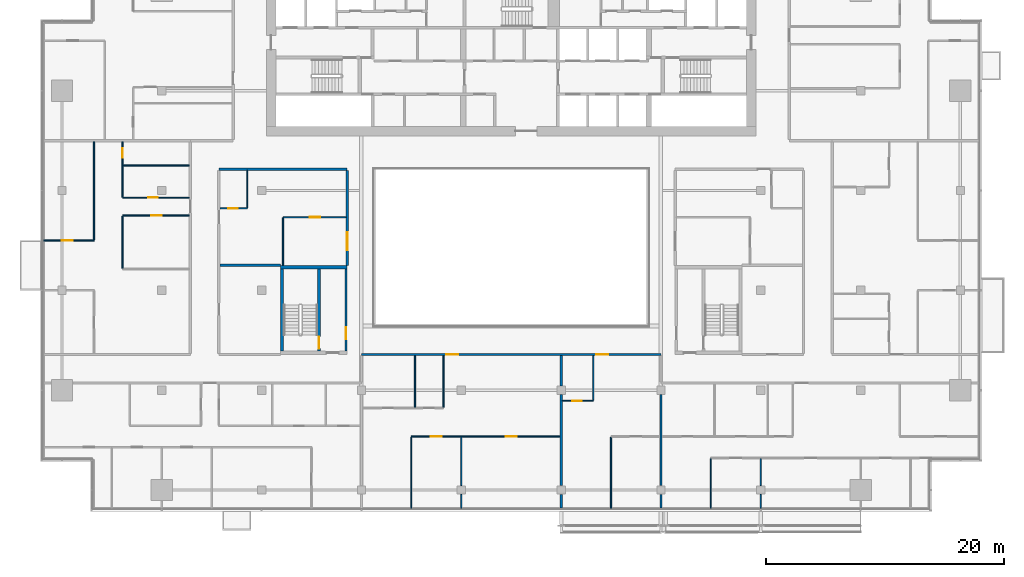
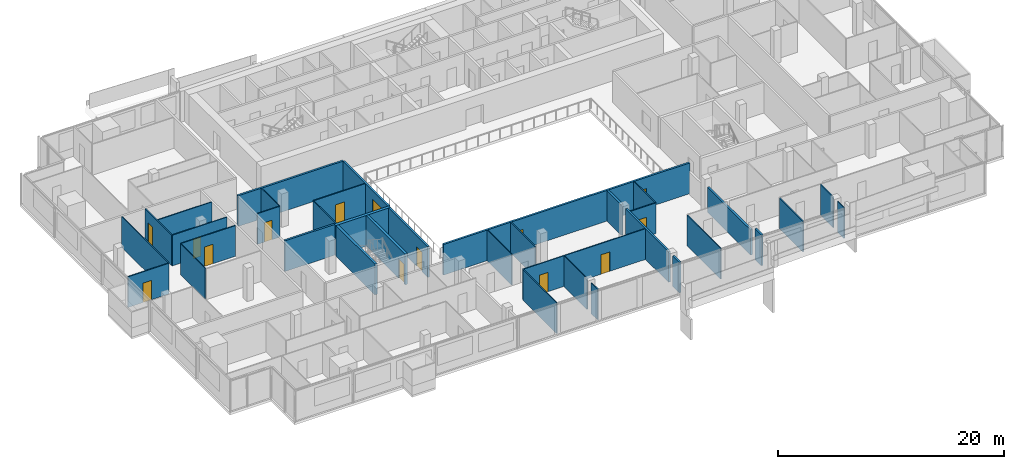
# One storey, part 18 of 28: 36 walls, 13 doors, 1 window, 14 openings.
"""IFC4 building model written with IfcOpenShell, lengths in metres."""

from ifc_helpers import new_model, si_unit, direction, frame, frame_2d, origin, place, context, subcontext, project, spatial, rectangle, extrude, material, layer, layer_set, type_object, element, fill, save


model = new_model("IFC4")

# Units and contexts
model_context = context("Model", 3, precision=1e-05, world=origin(), true_north=direction((0.0, 1.0)))
body_context = subcontext(model_context, "Body", "Model", "MODEL_VIEW")
ifc_project = project(units=[si_unit("LENGTHUNIT", "METRE"), si_unit("AREAUNIT", "SQUARE_METRE"), si_unit("VOLUMEUNIT", "CUBIC_METRE"), si_unit("PLANEANGLEUNIT", "RADIAN"), si_unit("MASSUNIT", "GRAM", prefix="KILO")], contexts=[model_context])

# Site, building, storey
site_placement = place(None, origin())
site = spatial("IfcSite", under=ifc_project, at=site_placement, CompositionType="ELEMENT")
building_placement = place(site_placement, origin())
building = spatial("IfcBuilding", under=site, at=building_placement, Name="Saffron Gate Tower", CompositionType="ELEMENT")
storey_placement = place(building_placement, frame((0.0, 0.0, 176.25)))
storey = spatial("IfcBuildingStorey", under=building, at=storey_placement, Name="L43", CompositionType="ELEMENT", Elevation=176.25)

# Wall, opening, door
ifc_material_1 = material(Name="Gypsum board partition on steel studs", Category="steel")
ifc_layer_1 = layer(ifc_material_1, 0.199951171875)
ifc_layer_set_1 = layer_set([ifc_layer_1], Name="CW10 Core partition 200")
wall_type_1 = type_object("IfcWallType", Name="CW10 Core partition 200", PredefinedType="PARTITIONING", material=ifc_layer_set_1)
wall_1_placement = place(storey_placement, frame((73.699951171875, 43.5, 0.0), z_axis=(0.0, 0.0, 1.0), x_axis=(0.0, 1.0, 0.0)))
wall_1 = element("IfcWall", 1, at=wall_1_placement, inside=storey, type_object=wall_type_1, Name="Wall CW10-L43-D-4", PredefinedType="PARTITIONING", context=body_context, shape_type="SweptSolid", body=[
    extrude(rectangle(XDim=6.89990234375, YDim=0.199951171875, at=frame_2d((3.449951171875, 0.0))), origin(), (0.0, 0.0, 1.0), 3.320068359375),
])
opening_1_placement = place(wall_1_placement, frame((1.0, 0.0, 0.0)))
opening_1 = element("IfcOpeningElement", 2, at=opening_1_placement, cuts=wall_1, Name="Opening CR-19", PredefinedType="OPENING", context=body_context, shape_type="SweptSolid", body=[
    extrude(rectangle(XDim=1.0, YDim=2.10009765625, at=frame_2d((0.5, 1.050048828125))), frame((0.0, 0.10986328125, 0.0), z_axis=(0.0, -1.0, 0.0), x_axis=(1.0, 0.0, 0.0)), (0.0, 0.0, 1.0), 0.219970703125),
])
ifc_material_2 = material(Name="Steel fire door set", Category="steel")
door_type_1 = type_object("IfcDoorType", Name="CD4 Lobby door 1000x2100 EI 120", OperationType="NOTDEFINED", PredefinedType="DOOR", material=ifc_material_2)
door_1_placement = place(opening_1_placement, origin())
door_1 = element("IfcDoor", 3, at=door_1_placement, inside=storey, type_object=door_type_1, Name="DOOR CR-19", OperationType="SINGLE_SWING_RIGHT", OverallHeight=2.10009765625, OverallWidth=1.0, PredefinedType="DOOR", context=body_context, shape_type="SweptSolid", body=[
    extrude(rectangle(XDim=1.0, YDim=2.10009765625, at=frame_2d((0.5, 1.050048828125))), frame((0.0, 0.02490234375, 0.0), z_axis=(0.0, -1.0, 0.0), x_axis=(1.0, 0.0, 0.0)), (0.0, 0.0, 1.0), 0.050048828125),
])
fill(opening_1, door_1)

# Wall
ifc_material_3 = material(Name="Concrete C60", Category="concrete")
ifc_layer_2 = layer(ifc_material_3, 0.25)
ifc_layer_set_2 = layer_set([ifc_layer_2], Name="CW14 RC core wall 250 C60")
wall_type_2 = type_object("IfcWallType", Name="CW14 RC core wall 250 C60", PredefinedType="SOLIDWALL", material=ifc_layer_set_2)
wall_2_placement = place(storey_placement, frame((68.324951171875, 43.5, 0.0), z_axis=(0.0, 0.0, 1.0), x_axis=(0.0, 1.0, 0.0)))
element("IfcWall", 4, at=wall_2_placement, inside=storey, type_object=wall_type_2, Name="Wall CW14-L43-D-2", PredefinedType="SOLIDWALL", context=body_context, shape_type="SweptSolid", body=[
    extrude(rectangle(XDim=6.89990234375, YDim=0.25, at=frame_2d((3.449951171875, 0.0))), origin(), (0.0, 0.0, 1.0), 3.320068359375),
])

# Wall, opening, door
wall_3_placement = place(storey_placement, frame((71.425048828125, 43.5, 0.0), z_axis=(0.0, 0.0, 1.0), x_axis=(0.0, 1.0, 0.0)))
wall_3 = element("IfcWall", 5, at=wall_3_placement, inside=storey, type_object=wall_type_2, Name="Wall CW14-L43-D-3", PredefinedType="SOLIDWALL", context=body_context, shape_type="SweptSolid", body=[
    extrude(rectangle(XDim=6.89990234375, YDim=0.25, at=frame_2d((3.449951171875, 0.0))), origin(), (0.0, 0.0, 1.0), 3.320068359375),
])
opening_2_placement = place(wall_3_placement, frame((0.199951171875, 0.0, 0.0)))
opening_2 = element("IfcOpeningElement", 6, at=opening_2_placement, cuts=wall_3, Name="Opening CR-20", PredefinedType="OPENING", context=body_context, shape_type="SweptSolid", body=[
    extrude(rectangle(XDim=1.0, YDim=2.10009765625, at=frame_2d((0.5, 1.050048828125))), frame((0.0, 0.135009765625, 0.0), z_axis=(0.0, -1.0, 0.0), x_axis=(1.0, 0.0, 0.0)), (0.0, 0.0, 1.0), 0.27001953125),
])
door_type_2 = type_object("IfcDoorType", Name="CD5 Stair door 1000x2100 EI 120", OperationType="NOTDEFINED", PredefinedType="DOOR", material=ifc_material_2)
door_2_placement = place(opening_2_placement, origin())
door_2 = element("IfcDoor", 7, at=door_2_placement, inside=storey, type_object=door_type_2, Name="DOOR CR-20", OperationType="SINGLE_SWING_LEFT", OverallHeight=2.10009765625, OverallWidth=1.0, PredefinedType="DOOR", context=body_context, shape_type="SweptSolid", body=[
    extrude(rectangle(XDim=1.0, YDim=2.10009765625, at=frame_2d((0.5, 1.050048828125))), frame((0.0, 0.02490234375, 0.0), z_axis=(0.0, -1.0, 0.0), x_axis=(1.0, 0.0, 0.0)), (0.0, 0.0, 1.0), 0.050048828125),
])
fill(opening_2, door_2)

# Wall
ifc_layer_3 = layer(ifc_material_3, 0.300048828125)
ifc_layer_set_3 = layer_set([ifc_layer_3], Name="CW17 RC core wall 300 C60")
wall_type_3 = type_object("IfcWallType", Name="CW17 RC core wall 300 C60", PredefinedType="SOLIDWALL", material=ifc_layer_set_3)
wall_4_placement = place(storey_placement, frame((68.199951171875, 50.550048828125, 0.0), z_axis=(0.0, 0.0, 1.0), x_axis=(1.0, 0.0, 0.0)))
element("IfcWall", 8, at=wall_4_placement, inside=storey, type_object=wall_type_3, Name="Wall CW17-L43-D-5", PredefinedType="SOLIDWALL", context=body_context, shape_type="SweptSolid", body=[
    extrude(rectangle(XDim=5.60009765625, YDim=0.300048828125, at=frame_2d((2.800048828125, 0.0))), origin(), (0.0, 0.0, 1.0), 3.320068359375),
])

# Wall, openings, doors
ifc_material_4 = material(Name="Plasterboard on steel studs", Category="steel")
ifc_layer_4 = layer(ifc_material_4, 0.10009765625)
ifc_layer_set_4 = layer_set([ifc_layer_4], Name="PW1 Partition 100")
wall_type_4 = type_object("IfcWallType", Name="PW1 Partition 100", PredefinedType="PARTITIONING", material=ifc_layer_set_4)
wall_5_placement = place(storey_placement, frame((91.699951171875, 36.300048828125, 0.0), z_axis=(0.0, 0.0, 1.0), x_axis=(-1.0, 0.0, 0.0)))
wall_5 = element("IfcWall", 9, at=wall_5_placement, inside=storey, type_object=wall_type_4, Name="Partition C3-3", PredefinedType="PARTITIONING", context=body_context, shape_type="SweptSolid", body=[
    extrude(rectangle(XDim=12.5, YDim=0.10009765625, at=frame_2d((6.25, 0.0))), origin(), (0.0, 0.0, 1.0), 3.320068359375),
])
opening_3_placement = place(wall_5_placement, frame((3.64990234375, 0.0, 0.0)))
opening_3 = element("IfcOpeningElement", 10, at=opening_3_placement, cuts=wall_5, Name="Opening C3-18", PredefinedType="OPENING", context=body_context, shape_type="SweptSolid", body=[
    extrude(rectangle(XDim=0.89990234375, YDim=2.10009765625, at=frame_2d((0.449951171875, 1.050048828125))), frame((0.0, 0.06005859375, 0.0), z_axis=(0.0, -1.0, 0.0), x_axis=(1.0, 0.0, 0.0)), (0.0, 0.0, 1.0), 0.1201171875),
])
opening_4_placement = place(wall_5_placement, frame((9.949951171875, 0.0, 0.0)))
opening_4 = element("IfcOpeningElement", 11, at=opening_4_placement, cuts=wall_5, Name="Opening C3-17", PredefinedType="OPENING", context=body_context, shape_type="SweptSolid", body=[
    extrude(rectangle(XDim=0.89990234375, YDim=2.10009765625, at=frame_2d((0.449951171875, 1.050048828125))), frame((0.0, 0.06005859375, 0.0), z_axis=(0.0, -1.0, 0.0), x_axis=(1.0, 0.0, 0.0)), (0.0, 0.0, 1.0), 0.1201171875),
])
ifc_material_5 = material(Name="Timber door set", Category="wood")
door_type_3 = type_object("IfcDoorType", Name="RD1 Room door 900x2100", OperationType="NOTDEFINED", PredefinedType="DOOR", material=ifc_material_5)
door_3_placement = place(opening_3_placement, origin())
door_3 = element("IfcDoor", 12, at=door_3_placement, inside=storey, type_object=door_type_3, Name="Door C3-18", OperationType="SINGLE_SWING_LEFT", OverallHeight=2.10009765625, OverallWidth=0.89990234375, PredefinedType="DOOR", context=body_context, shape_type="SweptSolid", body=[
    extrude(rectangle(XDim=0.89990234375, YDim=2.10009765625, at=frame_2d((0.449951171875, 1.050048828125))), frame((0.0, 0.02490234375, 0.0), z_axis=(0.0, -1.0, 0.0), x_axis=(1.0, 0.0, 0.0)), (0.0, 0.0, 1.0), 0.050048828125),
])
fill(opening_3, door_3)
door_4_placement = place(opening_4_placement, origin())
door_4 = element("IfcDoor", 13, at=door_4_placement, inside=storey, type_object=door_type_3, Name="Door C3-17", OperationType="SINGLE_SWING_LEFT", OverallHeight=2.10009765625, OverallWidth=0.89990234375, PredefinedType="DOOR", context=body_context, shape_type="SweptSolid", body=[
    extrude(rectangle(XDim=0.89990234375, YDim=2.10009765625, at=frame_2d((0.449951171875, 1.050048828125))), frame((0.0, 0.02490234375, 0.0), z_axis=(0.0, -1.0, 0.0), x_axis=(1.0, 0.0, 0.0)), (0.0, 0.0, 1.0), 0.050048828125),
])
fill(opening_4, door_4)

# Wall, opening, door
wall_6_placement = place(storey_placement, frame((91.89990234375, 39.300048828125, 0.0), z_axis=(0.0, 0.0, 1.0), x_axis=(1.0, 0.0, 0.0)))
wall_6 = element("IfcWall", 14, at=wall_6_placement, inside=storey, type_object=wall_type_4, Name="Partition C3-8", PredefinedType="PARTITIONING", context=body_context, shape_type="SweptSolid", body=[
    extrude(rectangle(XDim=2.60009765625, YDim=0.10009765625, at=frame_2d((1.300048828125, 0.0))), origin(), (0.0, 0.0, 1.0), 3.320068359375),
])
opening_5_placement = place(wall_6_placement, frame((0.85009765625, 0.0, 0.0)))
opening_5 = element("IfcOpeningElement", 15, at=opening_5_placement, cuts=wall_6, Name="Opening C3-44", PredefinedType="OPENING", context=body_context, shape_type="SweptSolid", body=[
    extrude(rectangle(XDim=0.800048828125, YDim=2.10009765625, at=frame_2d((0.39990234375, 1.050048828125))), frame((0.0, 0.06005859375, 0.0), z_axis=(0.0, -1.0, 0.0), x_axis=(1.0, 0.0, 0.0)), (0.0, 0.0, 1.0), 0.1201171875),
])
door_type_4 = type_object("IfcDoorType", Name="RD2 Bathroom door 800x2100", OperationType="NOTDEFINED", PredefinedType="DOOR", material=ifc_material_5)
door_5_placement = place(opening_5_placement, origin())
door_5 = element("IfcDoor", 16, at=door_5_placement, inside=storey, type_object=door_type_4, Name="Door C3-44", OperationType="SINGLE_SWING_LEFT", OverallHeight=2.10009765625, OverallWidth=0.800048828125, PredefinedType="DOOR", context=body_context, shape_type="SweptSolid", body=[
    extrude(rectangle(XDim=0.800048828125, YDim=2.10009765625, at=frame_2d((0.39990234375, 1.050048828125))), frame((0.0, 0.02490234375, 0.0), z_axis=(0.0, -1.0, 0.0), x_axis=(1.0, 0.0, 0.0)), (0.0, 0.0, 1.0), 0.050048828125),
])
fill(opening_5, door_5)

wall_7_placement = place(storey_placement, frame((48.280029296875, 52.800048828125, 0.0), z_axis=(0.0, 0.0, 1.0), x_axis=(1.0, 0.0, 0.0)))
wall_7 = element("IfcWall", 17, at=wall_7_placement, inside=storey, type_object=wall_type_4, Name="Partition C3-28", PredefinedType="PARTITIONING", context=body_context, shape_type="SweptSolid", body=[
    extrude(rectangle(XDim=4.219970703125, YDim=0.10009765625, at=frame_2d((2.10986328125, 0.0))), origin(), (0.0, 0.0, 1.0), 3.320068359375),
])
opening_6_placement = place(wall_7_placement, frame((1.52001953125, 0.0, 0.0)))
opening_6 = element("IfcOpeningElement", 18, at=opening_6_placement, cuts=wall_7, Name="Opening C3-27", PredefinedType="OPENING", context=body_context, shape_type="SweptSolid", body=[
    extrude(rectangle(XDim=0.89990234375, YDim=2.10009765625, at=frame_2d((0.449951171875, 1.050048828125))), frame((0.0, 0.06005859375, 0.0), z_axis=(0.0, -1.0, 0.0), x_axis=(1.0, 0.0, 0.0)), (0.0, 0.0, 1.0), 0.1201171875),
])
door_6_placement = place(opening_6_placement, origin())
door_6 = element("IfcDoor", 19, at=door_6_placement, inside=storey, type_object=door_type_3, Name="Door C3-27", OperationType="SINGLE_SWING_LEFT", OverallHeight=2.10009765625, OverallWidth=0.89990234375, PredefinedType="DOOR", context=body_context, shape_type="SweptSolid", body=[
    extrude(rectangle(XDim=0.89990234375, YDim=2.10009765625, at=frame_2d((0.449951171875, 1.050048828125))), frame((0.0, 0.02490234375, 0.0), z_axis=(0.0, -1.0, 0.0), x_axis=(1.0, 0.0, 0.0)), (0.0, 0.0, 1.0), 0.050048828125),
])
fill(opening_6, door_6)

wall_8_placement = place(storey_placement, frame((73.699951171875, 54.75, 0.0), z_axis=(0.0, 0.0, 1.0), x_axis=(-1.0, 0.0, 0.0)))
wall_8 = element("IfcWall", 20, at=wall_8_placement, inside=storey, type_object=wall_type_4, Name="Partition C3-30", PredefinedType="PARTITIONING", context=body_context, shape_type="SweptSolid", body=[
    extrude(rectangle(XDim=5.300048828125, YDim=0.10009765625, at=frame_2d((2.64990234375, 0.0))), origin(), (0.0, 0.0, 1.0), 3.320068359375),
])
opening_7_placement = place(wall_8_placement, frame((2.14990234375, 0.0, 0.0)))
opening_7 = element("IfcOpeningElement", 21, at=opening_7_placement, cuts=wall_8, Name="Opening C3-38", PredefinedType="OPENING", context=body_context, shape_type="SweptSolid", body=[
    extrude(rectangle(XDim=0.89990234375, YDim=2.10009765625, at=frame_2d((0.449951171875, 1.050048828125))), frame((0.0, 0.06005859375, 0.0), z_axis=(0.0, -1.0, 0.0), x_axis=(1.0, 0.0, 0.0)), (0.0, 0.0, 1.0), 0.1201171875),
])
door_7_placement = place(opening_7_placement, origin())
door_7 = element("IfcDoor", 22, at=door_7_placement, inside=storey, type_object=door_type_3, Name="Door C3-38", OperationType="SINGLE_SWING_LEFT", OverallHeight=2.10009765625, OverallWidth=0.89990234375, PredefinedType="DOOR", context=body_context, shape_type="SweptSolid", body=[
    extrude(rectangle(XDim=0.89990234375, YDim=2.10009765625, at=frame_2d((0.449951171875, 1.050048828125))), frame((0.0, 0.02490234375, 0.0), z_axis=(0.0, -1.0, 0.0), x_axis=(1.0, 0.0, 0.0)), (0.0, 0.0, 1.0), 0.050048828125),
])
fill(opening_7, door_7)

wall_9_placement = place(storey_placement, frame((60.5, 54.89990234375, 0.0), z_axis=(0.0, 0.0, 1.0), x_axis=(-1.0, 0.0, 0.0)))
wall_9 = element("IfcWall", 23, at=wall_9_placement, inside=storey, type_object=wall_type_4, Name="Partition C3-32", PredefinedType="PARTITIONING", context=body_context, shape_type="SweptSolid", body=[
    extrude(rectangle(XDim=5.60009765625, YDim=0.10009765625, at=frame_2d((2.800048828125, 0.0))), origin(), (0.0, 0.0, 1.0), 3.320068359375),
])
opening_8_placement = place(wall_9_placement, frame((2.300048828125, 0.0, 0.0)))
opening_8 = element("IfcOpeningElement", 24, at=opening_8_placement, cuts=wall_9, Name="Opening C3-28", PredefinedType="OPENING", context=body_context, shape_type="SweptSolid", body=[
    extrude(rectangle(XDim=0.89990234375, YDim=2.10009765625, at=frame_2d((0.449951171875, 1.050048828125))), frame((0.0, 0.06005859375, 0.0), z_axis=(0.0, -1.0, 0.0), x_axis=(1.0, 0.0, 0.0)), (0.0, 0.0, 1.0), 0.1201171875),
])
door_8_placement = place(opening_8_placement, origin())
door_8 = element("IfcDoor", 25, at=door_8_placement, inside=storey, type_object=door_type_3, Name="Door C3-28", OperationType="SINGLE_SWING_LEFT", OverallHeight=2.10009765625, OverallWidth=0.89990234375, PredefinedType="DOOR", context=body_context, shape_type="SweptSolid", body=[
    extrude(rectangle(XDim=0.89990234375, YDim=2.10009765625, at=frame_2d((0.449951171875, 1.050048828125))), frame((0.0, 0.02490234375, 0.0), z_axis=(0.0, -1.0, 0.0), x_axis=(1.0, 0.0, 0.0)), (0.0, 0.0, 1.0), 0.050048828125),
])
fill(opening_8, door_8)

wall_10_placement = place(storey_placement, frame((63.10009765625, 55.5, 0.0), z_axis=(0.0, 0.0, 1.0), x_axis=(1.0, 0.0, 0.0)))
wall_10 = element("IfcWall", 26, at=wall_10_placement, inside=storey, type_object=wall_type_4, Name="Partition C3-33", PredefinedType="PARTITIONING", context=body_context, shape_type="SweptSolid", body=[
    extrude(rectangle(XDim=2.2998046875, YDim=0.10009765625, at=frame_2d((1.14990234375, 0.0))), origin(), (0.0, 0.0, 1.0), 3.320068359375),
])
opening_9_placement = place(wall_10_placement, frame((0.699951171875, 0.0, 0.0)))
opening_9 = element("IfcOpeningElement", 27, at=opening_9_placement, cuts=wall_10, Name="Opening C3-53", PredefinedType="OPENING", context=body_context, shape_type="SweptSolid", body=[
    extrude(rectangle(XDim=0.800048828125, YDim=2.10009765625, at=frame_2d((0.39990234375, 1.050048828125))), frame((0.0, 0.06005859375, 0.0), z_axis=(0.0, -1.0, 0.0), x_axis=(1.0, 0.0, 0.0)), (0.0, 0.0, 1.0), 0.1201171875),
])
door_9_placement = place(opening_9_placement, origin())
door_9 = element("IfcDoor", 28, at=door_9_placement, inside=storey, type_object=door_type_4, Name="Door C3-53", OperationType="SINGLE_SWING_LEFT", OverallHeight=2.10009765625, OverallWidth=0.800048828125, PredefinedType="DOOR", context=body_context, shape_type="SweptSolid", body=[
    extrude(rectangle(XDim=0.800048828125, YDim=2.10009765625, at=frame_2d((0.39990234375, 1.050048828125))), frame((0.0, 0.02490234375, 0.0), z_axis=(0.0, -1.0, 0.0), x_axis=(1.0, 0.0, 0.0)), (0.0, 0.0, 1.0), 0.050048828125),
])
fill(opening_9, door_9)

wall_11_placement = place(storey_placement, frame((54.89990234375, 56.39990234375, 0.0), z_axis=(0.0, 0.0, 1.0), x_axis=(1.0, 0.0, 0.0)))
wall_11 = element("IfcWall", 29, at=wall_11_placement, inside=storey, type_object=wall_type_4, Name="Partition C3-35", PredefinedType="PARTITIONING", context=body_context, shape_type="SweptSolid", body=[
    extrude(rectangle(XDim=5.60009765625, YDim=0.10009765625, at=frame_2d((2.800048828125, 0.0))), origin(), (0.0, 0.0, 1.0), 3.320068359375),
])
opening_10_placement = place(wall_11_placement, frame((2.14990234375, 0.0, 0.0)))
opening_10 = element("IfcOpeningElement", 30, at=opening_10_placement, cuts=wall_11, Name="Opening C3-47", PredefinedType="OPENING", context=body_context, shape_type="SweptSolid", body=[
    extrude(rectangle(XDim=0.800048828125, YDim=2.10009765625, at=frame_2d((0.39990234375, 1.050048828125))), frame((0.0, 0.06005859375, 0.0), z_axis=(0.0, -1.0, 0.0), x_axis=(1.0, 0.0, 0.0)), (0.0, 0.0, 1.0), 0.1201171875),
])
door_10_placement = place(opening_10_placement, origin())
door_10 = element("IfcDoor", 31, at=door_10_placement, inside=storey, type_object=door_type_4, Name="Door C3-47", OperationType="SINGLE_SWING_LEFT", OverallHeight=2.10009765625, OverallWidth=0.800048828125, PredefinedType="DOOR", context=body_context, shape_type="SweptSolid", body=[
    extrude(rectangle(XDim=0.800048828125, YDim=2.10009765625, at=frame_2d((0.39990234375, 1.050048828125))), frame((0.0, 0.02490234375, 0.0), z_axis=(0.0, -1.0, 0.0), x_axis=(1.0, 0.0, 0.0)), (0.0, 0.0, 1.0), 0.050048828125),
])
fill(opening_10, door_10)

# Walls
wall_12_placement = place(storey_placement, frame((54.949951171875, 59.10009765625, 0.0), z_axis=(0.0, 0.0, 1.0), x_axis=(1.0, 0.0, 0.0)))
element("IfcWall", 32, at=wall_12_placement, inside=storey, type_object=wall_type_4, Name="Partition C3-40", PredefinedType="PARTITIONING", context=body_context, shape_type="SweptSolid", body=[
    extrude(rectangle(XDim=5.550048828125, YDim=0.10009765625, at=frame_2d((2.77490234375, 0.0))), origin(), (0.0, 0.0, 1.0), 3.320068359375),
])
wall_13_placement = place(storey_placement, frame((52.5, 61.10009765625, 0.0), z_axis=(0.0, 0.0, 1.0), x_axis=(0.0, -1.0, 0.0)))
element("IfcWall", 33, at=wall_13_placement, inside=storey, type_object=wall_type_4, Name="Partition C3-58", PredefinedType="PARTITIONING", context=body_context, shape_type="SweptSolid", body=[
    extrude(rectangle(XDim=8.25, YDim=0.10009765625, at=frame_2d((4.125, 0.0))), origin(), (0.0, 0.0, 1.0), 3.320068359375),
])
wall_14_placement = place(storey_placement, frame((54.89990234375, 54.85009765625, 0.0), z_axis=(0.0, 0.0, 1.0), x_axis=(0.0, -1.0, 0.0)))
element("IfcWall", 34, at=wall_14_placement, inside=storey, type_object=wall_type_4, Name="Partition C3-61", PredefinedType="PARTITIONING", context=body_context, shape_type="SweptSolid", body=[
    extrude(rectangle(XDim=4.406982421875, YDim=0.10009765625, at=frame_2d((2.20361328125, 0.0))), origin(), (0.0, 0.0, 1.0), 3.320068359375),
])

# Wall, opening, door
wall_15_placement = place(storey_placement, frame((54.89990234375, 61.10009765625, 0.0), z_axis=(0.0, 0.0, 1.0), x_axis=(0.0, -1.0, 0.0)))
wall_15 = element("IfcWall", 35, at=wall_15_placement, inside=storey, type_object=wall_type_4, Name="Partition C3-62", PredefinedType="PARTITIONING", context=body_context, shape_type="SweptSolid", body=[
    extrude(rectangle(XDim=4.650146484375, YDim=0.10009765625, at=frame_2d((2.3251953125, 0.0))), origin(), (0.0, 0.0, 1.0), 3.320068359375),
])
opening_11_placement = place(wall_15_placement, frame((0.550048828125, 0.0, 0.0)))
opening_11 = element("IfcOpeningElement", 36, at=opening_11_placement, cuts=wall_15, Name="Opening C3-48", PredefinedType="OPENING", context=body_context, shape_type="SweptSolid", body=[
    extrude(rectangle(XDim=0.800048828125, YDim=2.10009765625, at=frame_2d((0.39990234375, 1.050048828125))), frame((0.0, 0.06005859375, 0.0), z_axis=(0.0, -1.0, 0.0), x_axis=(1.0, 0.0, 0.0)), (0.0, 0.0, 1.0), 0.1201171875),
])
door_11_placement = place(opening_11_placement, origin())
door_11 = element("IfcDoor", 37, at=door_11_placement, inside=storey, type_object=door_type_4, Name="Door C3-48", OperationType="SINGLE_SWING_LEFT", OverallHeight=2.10009765625, OverallWidth=0.800048828125, PredefinedType="DOOR", context=body_context, shape_type="SweptSolid", body=[
    extrude(rectangle(XDim=0.800048828125, YDim=2.10009765625, at=frame_2d((0.39990234375, 1.050048828125))), frame((0.0, 0.02490234375, 0.0), z_axis=(0.0, -1.0, 0.0), x_axis=(1.0, 0.0, 0.0)), (0.0, 0.0, 1.0), 0.050048828125),
])
fill(opening_11, door_11)

# Walls
wall_16_placement = place(storey_placement, frame((65.39990234375, 58.699951171875, 0.0), z_axis=(0.0, 0.0, 1.0), x_axis=(0.0, -1.0, 0.0)))
element("IfcWall", 38, at=wall_16_placement, inside=storey, type_object=wall_type_4, Name="Partition C3-74", PredefinedType="PARTITIONING", context=body_context, shape_type="SweptSolid", body=[
    extrude(rectangle(XDim=3.14990234375, YDim=0.10009765625, at=frame_2d((1.574951171875, 0.0))), origin(), (0.0, 0.0, 1.0), 3.320068359375),
])
wall_17_placement = place(storey_placement, frame((68.39990234375, 54.699951171875, 0.0), z_axis=(0.0, 0.0, 1.0), x_axis=(0.0, -1.0, 0.0)))
element("IfcWall", 39, at=wall_17_placement, inside=storey, type_object=wall_type_4, Name="Partition C3-76", PredefinedType="PARTITIONING", context=body_context, shape_type="SweptSolid", body=[
    extrude(rectangle(XDim=4.0, YDim=0.10009765625, at=frame_2d((2.0, 0.0))), origin(), (0.0, 0.0, 1.0), 3.320068359375),
])
wall_18_placement = place(storey_placement, frame((79.199951171875, 36.25, 0.0), z_axis=(0.0, 0.0, 1.0), x_axis=(0.0, -1.0, 0.0)))
element("IfcWall", 40, at=wall_18_placement, inside=storey, type_object=wall_type_4, Name="Partition C3-83", PredefinedType="PARTITIONING", context=body_context, shape_type="SweptSolid", body=[
    extrude(rectangle(XDim=5.969970703125, YDim=0.10009765625, at=frame_2d((2.98486328125, 0.0))), origin(), (0.0, 0.0, 1.0), 3.320068359375),
])
for number, where, z_axis, x_axis, name in (
    (41, (79.5, 43.10009765625, 0.0), (0.0, 0.0, 1.0), (0.0, -1.0, 0.0), "Partition C3-84"),
    (42, (81.89990234375, 43.10009765625, 0.0), (0.0, 0.0, 1.0), (0.0, -1.0, 0.0), "Partition C3-85"),
):
    element("IfcWall", number, at=place(storey_placement, frame(where, z_axis=z_axis, x_axis=x_axis)), inside=storey, type_object=wall_type_4, Name=name, PredefinedType="PARTITIONING", context=body_context, shape_type="SweptSolid", body=[
        extrude(rectangle(XDim=4.35009765625, YDim=0.10009765625, at=frame_2d((2.175048828125, 0.0))), origin(), (0.0, 0.0, 1.0), 3.320068359375),
    ])
wall_19_placement = place(storey_placement, frame((83.39990234375, 31.429931640625, 0.0), z_axis=(0.0, 0.0, 1.0), x_axis=(0.0, -1.0, 0.0)))
element("IfcWall", 43, at=wall_19_placement, inside=storey, type_object=wall_type_4, Name="Partition C3-86", PredefinedType="PARTITIONING", context=body_context, shape_type="SweptSolid", body=[
    extrude(rectangle(XDim=1.14990234375, YDim=0.10009765625, at=frame_2d((0.574951171875, 0.0))), origin(), (0.0, 0.0, 1.0), 3.320068359375),
])
wall_20_placement = place(storey_placement, frame((83.39990234375, 36.25, 0.0), z_axis=(0.0, 0.0, 1.0), x_axis=(0.0, -1.0, 0.0)))
element("IfcWall", 44, at=wall_20_placement, inside=storey, type_object=wall_type_4, Name="Partition C3-87", PredefinedType="PARTITIONING", context=body_context, shape_type="SweptSolid", body=[
    extrude(rectangle(XDim=4.080078125, YDim=0.10009765625, at=frame_2d((2.0400390625, 0.0))), origin(), (0.0, 0.0, 1.0), 3.320068359375),
])
wall_21_placement = place(storey_placement, frame((94.5, 43.10009765625, 0.0), z_axis=(0.0, 0.0, 1.0), x_axis=(0.0, -1.0, 0.0)))
element("IfcWall", 45, at=wall_21_placement, inside=storey, type_object=wall_type_4, Name="Partition C3-91", PredefinedType="PARTITIONING", context=body_context, shape_type="SweptSolid", body=[
    extrude(rectangle(XDim=3.75, YDim=0.10009765625, at=frame_2d((1.875, 0.0))), origin(), (0.0, 0.0, 1.0), 3.320068359375),
])
wall_22_placement = place(storey_placement, frame((96.0, 36.25, 0.0), z_axis=(0.0, 0.0, 1.0), x_axis=(0.0, -1.0, 0.0)))
element("IfcWall", 46, at=wall_22_placement, inside=storey, type_object=wall_type_4, Name="Partition C3-92", PredefinedType="PARTITIONING", context=body_context, shape_type="SweptSolid", body=[
    extrude(rectangle(XDim=5.969970703125, YDim=0.10009765625, at=frame_2d((2.98486328125, 0.0))), origin(), (0.0, 0.0, 1.0), 3.320068359375),
])
wall_23_placement = place(storey_placement, frame((104.39990234375, 34.449951171875, 0.0), z_axis=(0.0, 0.0, 1.0), x_axis=(0.0, -1.0, 0.0)))
element("IfcWall", 47, at=wall_23_placement, inside=storey, type_object=wall_type_4, Name="Partition C3-97", PredefinedType="PARTITIONING", context=body_context, shape_type="SweptSolid", body=[
    extrude(rectangle(XDim=4.169921875, YDim=0.10009765625, at=frame_2d((2.0849609375, 0.0))), origin(), (0.0, 0.0, 1.0), 3.320068359375),
])
wall_24_placement = place(storey_placement, frame((108.60009765625, 31.429931640625, 0.0), z_axis=(0.0, 0.0, 1.0), x_axis=(0.0, -1.0, 0.0)))
element("IfcWall", 48, at=wall_24_placement, inside=storey, type_object=wall_type_4, Name="Partition C3-100", PredefinedType="PARTITIONING", context=body_context, shape_type="SweptSolid", body=[
    extrude(rectangle(XDim=1.14990234375, YDim=0.10009765625, at=frame_2d((0.574951171875, 0.0))), origin(), (0.0, 0.0, 1.0), 3.320068359375),
])
wall_25_placement = place(storey_placement, frame((108.60009765625, 34.449951171875, 0.0), z_axis=(0.0, 0.0, 1.0), x_axis=(0.0, -1.0, 0.0)))
element("IfcWall", 49, at=wall_25_placement, inside=storey, type_object=wall_type_4, Name="Partition C3-101", PredefinedType="PARTITIONING", context=body_context, shape_type="SweptSolid", body=[
    extrude(rectangle(XDim=2.280029296875, YDim=0.10009765625, at=frame_2d((1.14013671875, 0.0))), origin(), (0.0, 0.0, 1.0), 3.320068359375),
])
ifc_material_6 = material(Name="Clay brick masonry, rendered", Category="masonry")
ifc_layer_5 = layer(ifc_material_6, 0.199951171875)
ifc_layer_set_5 = layer_set([ifc_layer_5], Name="PW2 Demising wall 200")
wall_type_5 = type_object("IfcWallType", Name="PW2 Demising wall 200", PredefinedType="PARTITIONING", material=ifc_layer_set_5)
wall_26_placement = place(storey_placement, frame((63.10009765625, 50.699951171875, 0.0), z_axis=(0.0, 0.0, 1.0), x_axis=(1.0, 0.0, 0.0)))
element("IfcWall", 50, at=wall_26_placement, inside=storey, type_object=wall_type_5, Name="Wall C3-26", PredefinedType="PARTITIONING", context=body_context, shape_type="SweptSolid", body=[
    extrude(rectangle(XDim=5.099853515625, YDim=0.199951171875, at=frame_2d((2.5498046875, 0.0))), origin(), (0.0, 0.0, 1.0), 3.320068359375),
])
wall_27_placement = place(storey_placement, frame((91.800048828125, 31.429931640625, 0.0), z_axis=(0.0, 0.0, 1.0), x_axis=(0.0, -1.0, 0.0)))
element("IfcWall", 51, at=wall_27_placement, inside=storey, type_object=wall_type_5, Name="Wall C3-88", PredefinedType="PARTITIONING", context=body_context, shape_type="SweptSolid", body=[
    extrude(rectangle(XDim=1.14990234375, YDim=0.199951171875, at=frame_2d((0.574951171875, 0.0))), origin(), (0.0, 0.0, 1.0), 3.320068359375),
])
wall_28_placement = place(storey_placement, frame((91.800048828125, 39.830078125, 0.0), z_axis=(0.0, 0.0, 1.0), x_axis=(0.0, -1.0, 0.0)))
element("IfcWall", 52, at=wall_28_placement, inside=storey, type_object=wall_type_5, Name="Wall C3-89", PredefinedType="PARTITIONING", context=body_context, shape_type="SweptSolid", body=[
    extrude(rectangle(XDim=7.66015625, YDim=0.199951171875, at=frame_2d((3.830078125, 0.0))), origin(), (0.0, 0.0, 1.0), 3.320068359375),
])
wall_29_placement = place(storey_placement, frame((91.800048828125, 43.10009765625, 0.0), z_axis=(0.0, 0.0, 1.0), x_axis=(0.0, -1.0, 0.0)))
element("IfcWall", 53, at=wall_29_placement, inside=storey, type_object=wall_type_5, Name="Wall C3-90", PredefinedType="PARTITIONING", context=body_context, shape_type="SweptSolid", body=[
    extrude(rectangle(XDim=2.530029296875, YDim=0.199951171875, at=frame_2d((1.26513671875, 0.0))), origin(), (0.0, 0.0, 1.0), 3.320068359375),
])
wall_30_placement = place(storey_placement, frame((100.199951171875, 31.429931640625, 0.0), z_axis=(0.0, 0.0, 1.0), x_axis=(0.0, -1.0, 0.0)))
element("IfcWall", 54, at=wall_30_placement, inside=storey, type_object=wall_type_5, Name="Wall C3-94", PredefinedType="PARTITIONING", context=body_context, shape_type="SweptSolid", body=[
    extrude(rectangle(XDim=1.14990234375, YDim=0.199951171875, at=frame_2d((0.574951171875, 0.0))), origin(), (0.0, 0.0, 1.0), 3.320068359375),
])
wall_31_placement = place(storey_placement, frame((100.199951171875, 39.830078125, 0.0), z_axis=(0.0, 0.0, 1.0), x_axis=(0.0, -1.0, 0.0)))
element("IfcWall", 55, at=wall_31_placement, inside=storey, type_object=wall_type_5, Name="Wall C3-95", PredefinedType="PARTITIONING", context=body_context, shape_type="SweptSolid", body=[
    extrude(rectangle(XDim=7.66015625, YDim=0.199951171875, at=frame_2d((3.830078125, 0.0))), origin(), (0.0, 0.0, 1.0), 2.719970703125),
])

# Wall, openings, doors
ifc_layer_6 = layer(ifc_material_6, 0.199951171875)
ifc_layer_set_6 = layer_set([ifc_layer_6], Name="PW3 Corridor wall 200")
wall_type_6 = type_object("IfcWallType", Name="PW3 Corridor wall 200", PredefinedType="PARTITIONING", material=ifc_layer_set_6)
wall_32_placement = place(storey_placement, frame((100.199951171875, 43.199951171875, 0.0), z_axis=(0.0, 0.0, 1.0), x_axis=(-1.0, 0.0, 0.0)))
wall_32 = element("IfcWall", 56, at=wall_32_placement, inside=storey, type_object=wall_type_6, Name="Wall C3-15", PredefinedType="PARTITIONING", context=body_context, shape_type="SweptSolid", body=[
    extrude(rectangle(XDim=25.199951171875, YDim=0.199951171875, at=frame_2d((12.60009765625, 0.0))), origin(), (0.0, 0.0, 1.0), 3.320068359375),
])
opening_12_placement = place(wall_32_placement, frame((4.449951171875, 0.0, 0.0)))
opening_12 = element("IfcOpeningElement", 57, at=opening_12_placement, cuts=wall_32, Name="Opening C3-3", PredefinedType="OPENING", context=body_context, shape_type="SweptSolid", body=[
    extrude(rectangle(XDim=1.0, YDim=2.10009765625, at=frame_2d((0.5, 1.050048828125))), frame((0.0, 0.10986328125, 0.0), z_axis=(0.0, -1.0, 0.0), x_axis=(1.0, 0.0, 0.0)), (0.0, 0.0, 1.0), 0.219970703125),
])
opening_13_placement = place(wall_32_placement, frame((17.050048828125, 0.0, 0.0)))
opening_13 = element("IfcOpeningElement", 58, at=opening_13_placement, cuts=wall_32, Name="Opening C3-2", PredefinedType="OPENING", context=body_context, shape_type="SweptSolid", body=[
    extrude(rectangle(XDim=1.0, YDim=2.10009765625, at=frame_2d((0.5, 1.050048828125))), frame((0.0, 0.10986328125, 0.0), z_axis=(0.0, -1.0, 0.0), x_axis=(1.0, 0.0, 0.0)), (0.0, 0.0, 1.0), 0.219970703125),
])
ifc_material_7 = material(Name="Timber fire door set", Category="wood")
door_type_5 = type_object("IfcDoorType", Name="FD1 Flat entry door 1000x2100", OperationType="NOTDEFINED", PredefinedType="DOOR", material=ifc_material_7)
door_12_placement = place(opening_12_placement, origin())
door_12 = element("IfcDoor", 59, at=door_12_placement, inside=storey, type_object=door_type_5, Name="Door C3-3", OperationType="SINGLE_SWING_RIGHT", OverallHeight=2.10009765625, OverallWidth=1.0, PredefinedType="DOOR", context=body_context, shape_type="SweptSolid", body=[
    extrude(rectangle(XDim=1.0, YDim=2.10009765625, at=frame_2d((0.5, 1.050048828125))), frame((0.0, 0.02490234375, 0.0), z_axis=(0.0, -1.0, 0.0), x_axis=(1.0, 0.0, 0.0)), (0.0, 0.0, 1.0), 0.050048828125),
])
fill(opening_12, door_12)
door_13_placement = place(opening_13_placement, origin())
door_13 = element("IfcDoor", 60, at=door_13_placement, inside=storey, type_object=door_type_5, Name="Door C3-2", OperationType="SINGLE_SWING_RIGHT", OverallHeight=2.10009765625, OverallWidth=1.0, PredefinedType="DOOR", context=body_context, shape_type="SweptSolid", body=[
    extrude(rectangle(XDim=1.0, YDim=2.10009765625, at=frame_2d((0.5, 1.050048828125))), frame((0.0, 0.02490234375, 0.0), z_axis=(0.0, -1.0, 0.0), x_axis=(1.0, 0.0, 0.0)), (0.0, 0.0, 1.0), 0.050048828125),
])
fill(opening_13, door_13)

# Wall
wall_33_placement = place(storey_placement, frame((63.0, 58.800048828125, 0.0), z_axis=(0.0, 0.0, 1.0), x_axis=(1.0, 0.0, 0.0)))
element("IfcWall", 61, at=wall_33_placement, inside=storey, type_object=wall_type_6, Name="Wall C3-38", PredefinedType="PARTITIONING", context=body_context, shape_type="SweptSolid", body=[
    extrude(rectangle(XDim=10.800048828125, YDim=0.199951171875, at=frame_2d((5.39990234375, 0.0))), origin(), (0.0, 0.0, 1.0), 3.320068359375),
])

# Wall, opening, window
wall_34_placement = place(storey_placement, frame((73.800048828125, 58.699951171875, 0.0), z_axis=(0.0, 0.0, 1.0), x_axis=(0.0, -1.0, 0.0)))
wall_34 = element("IfcWall", 62, at=wall_34_placement, inside=storey, type_object=wall_type_6, Name="Wall C3-79", PredefinedType="PARTITIONING", context=body_context, shape_type="SweptSolid", body=[
    extrude(rectangle(XDim=8.0, YDim=0.199951171875, at=frame_2d((4.0, 0.0))), origin(), (0.0, 0.0, 1.0), 3.320068359375),
])
opening_14_placement = place(wall_34_placement, frame((5.22509765625, 0.0, 0.89990234375)))
opening_14 = element("IfcOpeningElement", 63, at=opening_14_placement, cuts=wall_34, Name="Opening GW1", PredefinedType="OPENING", context=body_context, shape_type="SweptSolid", body=[
    extrude(rectangle(XDim=1.5, YDim=1.5, at=frame_2d((0.75, 0.75))), frame((0.0, 0.10986328125, 0.0), z_axis=(0.0, -1.0, 0.0), x_axis=(1.0, 0.0, 0.0)), (0.0, 0.0, 1.0), 0.219970703125),
])
ifc_material_8 = material(Name="Fire-resisting laminated glass in steel frame", Category="steel")
ifc_layer_7 = layer(ifc_material_8, 0.06005859375)
ifc_layer_set_7 = layer_set([ifc_layer_7], Name="GW1 Gallery window 1500x1500")
window_type = type_object("IfcWindowType", Name="GW1 Gallery window 1500x1500", PartitioningType="SINGLE_PANEL", PredefinedType="WINDOW", material=ifc_layer_set_7)
window_placement = place(opening_14_placement, origin())
window = element("IfcWindow", 64, at=window_placement, inside=storey, type_object=window_type, Name="GW1 window C3-J-B1", OverallHeight=1.5, OverallWidth=1.5, PartitioningType="SINGLE_PANEL", PredefinedType="WINDOW", context=body_context, shape_type="SweptSolid", body=[
    extrude(rectangle(XDim=1.5, YDim=1.5, at=frame_2d((0.75, 0.75))), frame((0.0, 0.030029296875, 0.0), z_axis=(0.0, -1.0, 0.0), x_axis=(1.0, 0.0, 0.0)), (0.0, 0.0, 1.0), 0.06005859375),
])
fill(opening_14, window)

save(model, "model.ifc")
